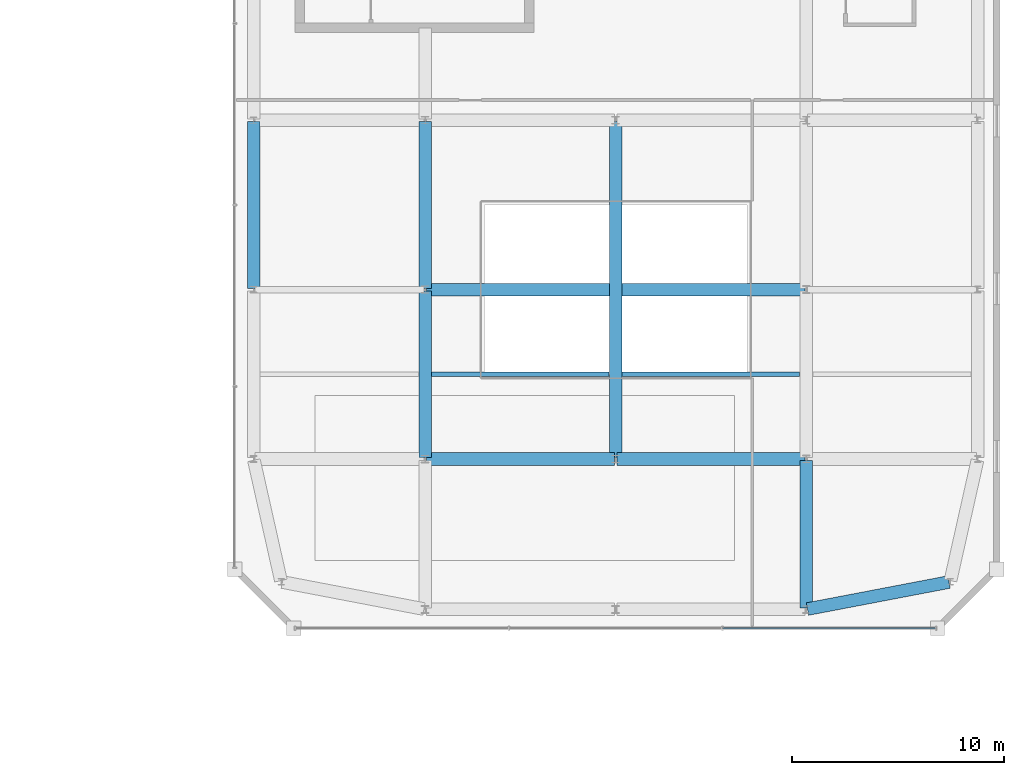
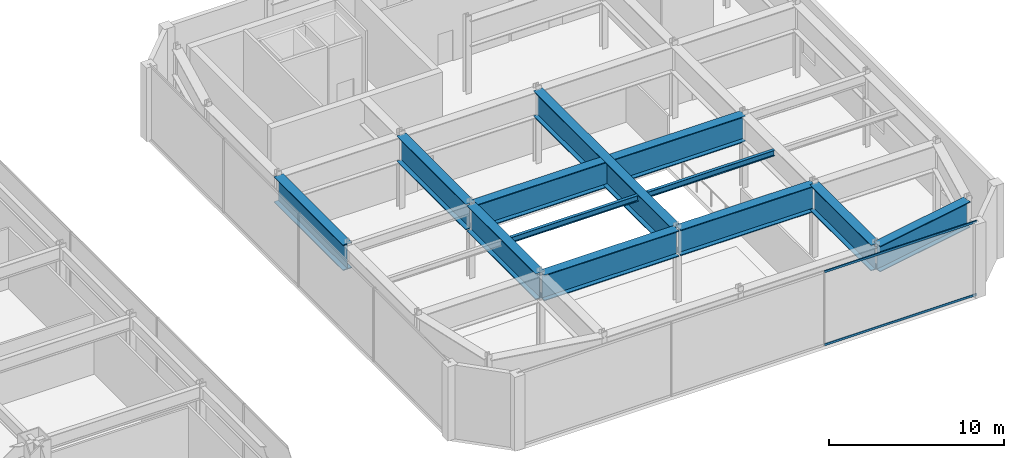
# One storey, part 37 of 53: 11 beams, 2 members, 1 element without a shape of its own.
"""IFC4 building model written with IfcOpenShell, lengths in metres."""

from ifc_helpers import new_model, si_unit, direction, frame, origin, origin_2d, place, context, subcontext, project, spatial, hollow_rectangle, i_section, extrude, material, material_profile, profile_set, type_object, element, aggregate, save


model = new_model("IFC4")

# Units and contexts
model_context = context("Model", 3, precision=1e-05, world=origin(), true_north=direction((0.0, 1.0)))
body_context = subcontext(model_context, "Body", "Model", "MODEL_VIEW")
ifc_project = project(units=[si_unit("LENGTHUNIT", "METRE"), si_unit("AREAUNIT", "SQUARE_METRE"), si_unit("VOLUMEUNIT", "CUBIC_METRE"), si_unit("PLANEANGLEUNIT", "RADIAN"), si_unit("MASSUNIT", "GRAM", prefix="KILO")], contexts=[model_context])

# Site, building, storey
site_placement = place(None, origin())
site = spatial("IfcSite", under=ifc_project, at=site_placement, CompositionType="ELEMENT")
building_placement = place(site_placement, origin())
building = spatial("IfcBuilding", under=site, at=building_placement, Name="Saevonmaru Cultural Tower", CompositionType="ELEMENT")
storey_placement = place(building_placement, frame((0.0, 0.0, 22.199951171875)))
storey = spatial("IfcBuildingStorey", under=building, at=storey_placement, Name="L04", CompositionType="ELEMENT", Elevation=22.199951171875)

# Beams
ifc_material_1 = material(Name="Steel SM355", Category="steel")
ifc_material_profile_1 = material_profile(ifc_material_1, i_section(OverallWidth=0.199951171875, OverallDepth=0.39990234375, WebThickness=0.008056640625, FlangeThickness=0.012939453125, FilletRadius=0.01611328125, at=origin_2d()), Name="H-400x200x8x13")
ifc_profile_set_1 = profile_set([ifc_material_profile_1], Name="Steel SM355")
beam_type_1 = type_object("IfcBeamType", Name="BM-J-H400", PredefinedType="JOIST", material=ifc_profile_set_1)
for number, where, z_axis, x_axis, name in (
    (1, (81.508056640625, 20.0, 4.900146484375), (1.0, 0.0, 0.0), (0.0, 1.0, 0.0), "L04 Library Joist J-2-2"),
    (2, (90.508056640625, 20.0, 4.900146484375), (1.0, 0.0, 0.0), (0.0, 1.0, 0.0), "L04 Library Joist J-2-3"),
):
    element("IfcBeam", number, at=place(storey_placement, frame(where, z_axis=z_axis, x_axis=x_axis)), inside=storey, type_object=beam_type_1, Name=name, PredefinedType="JOIST", context=body_context, shape_type="SweptSolid", body=[
        extrude(i_section(OverallWidth=0.199951171875, OverallDepth=0.39990234375, WebThickness=0.008056640625, FlangeThickness=0.012939453125, FilletRadius=0.01611328125, at=origin_2d()), origin(), (0.0, 0.0, 1.0), 8.384033203125),
    ])
ifc_material_2 = material(Name="Steel HSA600 (600 MPa)", Category="steel")
ifc_material_profile_2 = material_profile(ifc_material_2, i_section(OverallWidth=0.60009765625, OverallDepth=1.800048828125, WebThickness=0.028076171875, FlangeThickness=0.054931640625, at=origin_2d()), Name="PG-1800x600x28x55")
ifc_profile_set_2 = profile_set([ifc_material_profile_2], Name="Steel HSA600 (600 MPa)")
beam_type_2 = type_object("IfcBeamType", Name="BM-TG-PG1800", PredefinedType="BEAM", material=ifc_profile_set_2)
beam_1_placement = place(storey_placement, frame((99.2587890625, 8.911376953125, 4.199951171875), z_axis=(0.982216489393, 0.187751878722, 0.0), x_axis=(-0.187751878722, 0.982216489393, 0.0)))
element("IfcBeam", 3, at=beam_1_placement, inside=storey, type_object=beam_type_2, Name="L04 Library Girder EW-1-4", PredefinedType="BEAM", context=body_context, shape_type="SweptSolid", body=[
    extrude(i_section(OverallWidth=0.60009765625, OverallDepth=1.800048828125, WebThickness=0.028076171875, FlangeThickness=0.054931640625, at=origin_2d()), origin(), (0.0, 0.0, 1.0), 6.803466796875),
])
for number, where, z_axis, x_axis, name in (
    (4, (81.260009765625, 16.0, 4.199951171875), (1.0, 0.0, 0.0), (0.0, 1.0, 0.0), "L04 Library Girder EW-2-2"),
    (5, (90.260009765625, 16.0, 4.199951171875), (1.0, 0.0, 0.0), (0.0, 1.0, 0.0), "L04 Library Girder EW-2-3"),
):
    element("IfcBeam", number, at=place(storey_placement, frame(where, z_axis=z_axis, x_axis=x_axis)), inside=storey, type_object=beam_type_2, Name=name, PredefinedType="BEAM", context=body_context, shape_type="SweptSolid", body=[
        extrude(i_section(OverallWidth=0.60009765625, OverallDepth=1.800048828125, WebThickness=0.028076171875, FlangeThickness=0.054931640625, at=origin_2d()), origin(), (0.0, 0.0, 1.0), 8.8798828125),
    ])
beam_2_placement = place(storey_placement, frame((81.260009765625, 24.0, 4.199951171875), z_axis=(1.0, 0.0, 0.0), x_axis=(0.0, 1.0, 0.0)))
element("IfcBeam", 6, at=beam_2_placement, inside=storey, type_object=beam_type_2, Name="L04 Library Vaulted Reading Hall Long-Span Roof Girder", PredefinedType="BEAM", context=body_context, shape_type="SweptSolid", body=[
    extrude(i_section(OverallWidth=0.60009765625, OverallDepth=1.800048828125, WebThickness=0.028076171875, FlangeThickness=0.054931640625, at=origin_2d()), origin(), (0.0, 0.0, 1.0), 17.8798828125),
])
for number, where, z_axis, x_axis, name in (
    (7, (73.10009765625, 24.06005859375, 4.199951171875), (0.0, 1.0, 0.0), (-1.0, 0.0, 0.0), "L04 Library Girder NS-1-3"),
    (8, (81.199951171875, 16.06005859375, 4.199951171875), (0.0, 1.0, 0.0), (-1.0, 0.0, 0.0), "L04 Library Girder NS-2-2"),
    (9, (81.199951171875, 24.06005859375, 4.199951171875), (0.0, 1.0, 0.0), (-1.0, 0.0, 0.0), "L04 Library Girder NS-2-3"),
):
    element("IfcBeam", number, at=place(storey_placement, frame(where, z_axis=z_axis, x_axis=x_axis)), inside=storey, type_object=beam_type_2, Name=name, PredefinedType="BEAM", context=body_context, shape_type="SweptSolid", body=[
        extrude(i_section(OverallWidth=0.60009765625, OverallDepth=1.800048828125, WebThickness=0.028076171875, FlangeThickness=0.054931640625, at=origin_2d()), origin(), (0.0, 0.0, 1.0), 7.8798828125),
    ])
beam_3_placement = place(storey_placement, frame((90.199951171875, 16.06005859375, 4.199951171875), z_axis=(0.0, 1.0, 0.0), x_axis=(-1.0, 0.0, 0.0)))
element("IfcBeam", 10, at=beam_3_placement, inside=storey, type_object=beam_type_2, Name="L04 Library Vaulted Hall Transverse Girder", PredefinedType="BEAM", context=body_context, shape_type="SweptSolid", body=[
    extrude(i_section(OverallWidth=0.60009765625, OverallDepth=1.800048828125, WebThickness=0.028076171875, FlangeThickness=0.054931640625, at=origin_2d()), origin(), (0.0, 0.0, 1.0), 15.8798828125),
])
beam_4_placement = place(storey_placement, frame((99.199951171875, 8.9599609375, 4.199951171875), z_axis=(0.0, 1.0, 0.0), x_axis=(-1.0, 0.0, 0.0)))
element("IfcBeam", 11, at=beam_4_placement, inside=storey, type_object=beam_type_2, Name="L04 Library Girder NS-4-1", PredefinedType="BEAM", context=body_context, shape_type="SweptSolid", body=[
    extrude(i_section(OverallWidth=0.60009765625, OverallDepth=1.800048828125, WebThickness=0.028076171875, FlangeThickness=0.054931640625, at=origin_2d()), origin(), (0.0, 0.0, 1.0), 6.97998046875),
])

# Curtain wall, members
ifc_material_3 = material(Name="Satin Bronze Anodised Aluminium", Category="aluminium")
curtain_wall_type = type_object("IfcCurtainWallType", Name="CW-LIB-GLZ", PredefinedType="NOTDEFINED", material=ifc_material_3)
curtain_wall_placement = place(storey_placement, origin())
curtain_wall = element("IfcCurtainWall", 12, at=curtain_wall_placement, inside=storey, type_object=curtain_wall_type, Name="L04 Central Library Reading Hall Curtain Wall 2", PredefinedType="NOTDEFINED")
ifc_material_profile_3 = material_profile(ifc_material_3, hollow_rectangle(XDim=0.06494140625, YDim=0.14990234375, WallThickness=0.00390625, at=origin_2d()), Name="ALU-TRAN-150x65x4")
ifc_profile_set_3 = profile_set([ifc_material_profile_3], Name="Satin Bronze Anodised Aluminium")
member_type = type_object("IfcMemberType", Name="TR-CW-150x65", PredefinedType="USERDEFINED", material=ifc_profile_set_3)
member_1_placement = place(storey_placement, frame((95.279052734375, 8.0, 0.032470703125), z_axis=(1.0, 0.0, 0.0), x_axis=(0.0, 1.0, 0.0)))
member_1 = element("IfcMember", 13, at=member_1_placement, type_object=member_type, Name="CW-LIB-2-L04 transom 3.1", ObjectType="TRANSOM", PredefinedType="USERDEFINED", context=body_context, shape_type="SweptSolid", body=[
    extrude(hollow_rectangle(XDim=0.06494140625, YDim=0.14990234375, WallThickness=0.00390625, at=origin_2d()), origin(), (0.0, 0.0, 1.0), 10.028564453125),
])
member_2_placement = place(storey_placement, frame((95.279052734375, 8.0, 5.117431640625), z_axis=(1.0, 0.0, 0.0), x_axis=(0.0, 1.0, 0.0)))
member_2 = element("IfcMember", 14, at=member_2_placement, type_object=member_type, Name="CW-LIB-2-L04 transom 3.2", ObjectType="TRANSOM", PredefinedType="USERDEFINED", context=body_context, shape_type="SweptSolid", body=[
    extrude(hollow_rectangle(XDim=0.06494140625, YDim=0.14990234375, WallThickness=0.00390625, at=origin_2d()), origin(), (0.0, 0.0, 1.0), 10.028564453125),
])
aggregate(curtain_wall, [member_1, member_2])

save(model, "model.ifc")
